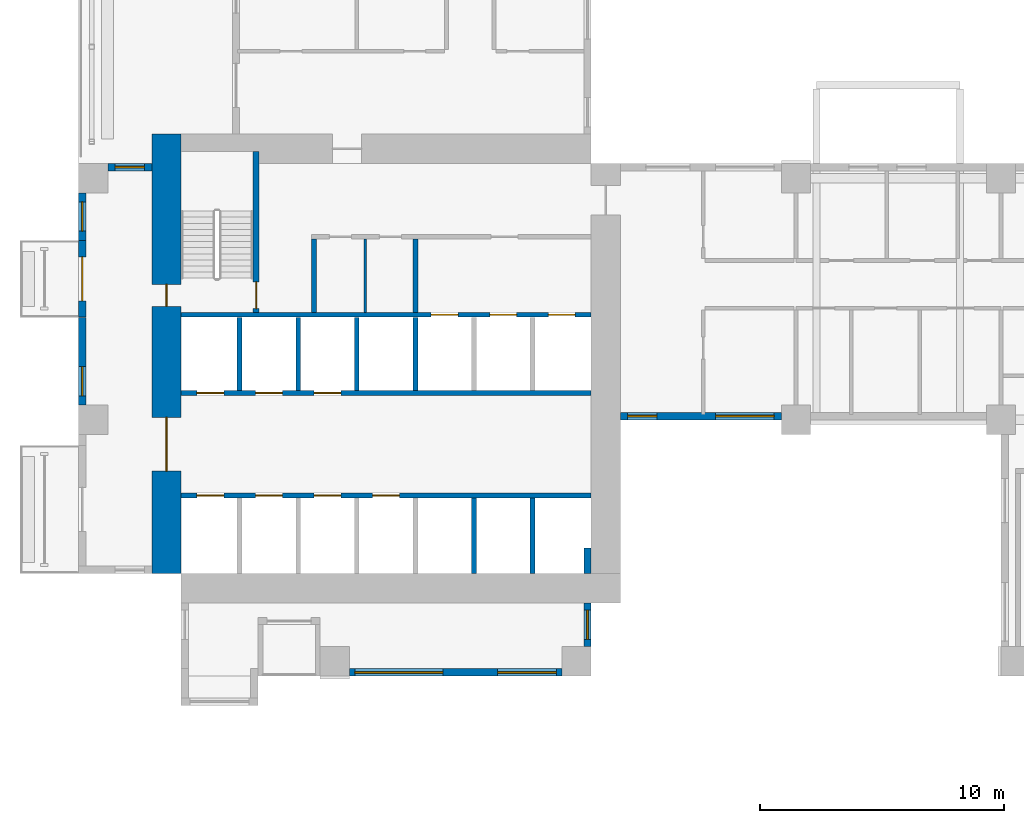
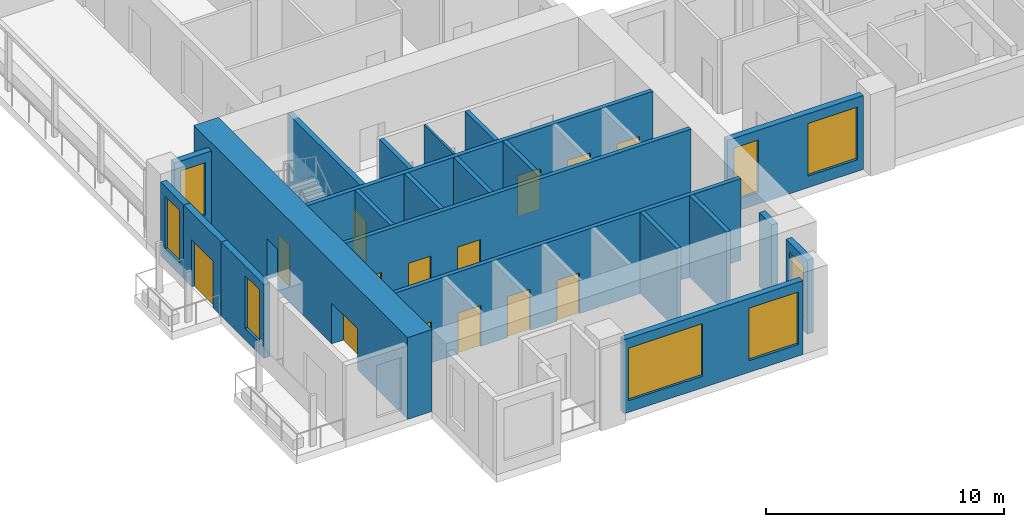
# One storey, part 6 of 18: 22 walls, 14 doors, 8 windows, 22 openings.
"""IFC4 building model written with IfcOpenShell, lengths in metres."""

from ifc_helpers import new_model, si_unit, direction, frame, frame_2d, origin, place, context, subcontext, project, spatial, rectangle, extrude, source, transform, mapped, material, layer, layer_set, type_object, element, fill, save


model = new_model("IFC4")

# Units and contexts
model_context = context("Model", 3, precision=1e-05, world=origin(), true_north=direction((0.0, 1.0)))
body_context = subcontext(model_context, "Body", "Model", "MODEL_VIEW")
ifc_project = project(units=[si_unit("LENGTHUNIT", "METRE"), si_unit("AREAUNIT", "SQUARE_METRE"), si_unit("VOLUMEUNIT", "CUBIC_METRE"), si_unit("PLANEANGLEUNIT", "RADIAN"), si_unit("MASSUNIT", "GRAM", prefix="KILO")], contexts=[model_context])

# Site, building, storey
site_placement = place(None, origin())
site = spatial("IfcSite", under=ifc_project, at=site_placement, CompositionType="ELEMENT")
building_placement = place(site_placement, origin())
building = spatial("IfcBuilding", under=site, at=building_placement, Name="Aurelian Terraces", CompositionType="ELEMENT")
storey_placement = place(building_placement, frame((0.0, 0.0, 99.3)))
storey = spatial("IfcBuildingStorey", under=building, at=storey_placement, Name="L21", CompositionType="ELEMENT", Elevation=99.3)

# Wall, openings, doors
ifc_material_1 = material(Name="Concrete fc' 83 MPa", Category="concrete")
ifc_layer_1 = layer(ifc_material_1, 1.2)
ifc_layer_set_1 = layer_set([ifc_layer_1], Name="CORE WALL 1200 FC83")
wall_type_1 = type_object("IfcWallType", Name="CORE WALL 1200 FC83", PredefinedType="SHEAR", material=ifc_layer_set_1)
shared_shape_1 = source(origin(), body_context, "Body", "SweptSolid", [
    extrude(rectangle(XDim=18.0, YDim=1.2, at=frame_2d((9.0, 0.0))), origin(), (0.0, 0.0, 1.0), 4.2),
])
wall_1_placement = place(storey_placement, frame((3.6, 4.2, 0.0), z_axis=(0.0, 0.0, 1.0), x_axis=(0.0, 1.0, 0.0)))
wall_1 = element("IfcWall", 1, at=wall_1_placement, inside=storey, type_object=wall_type_1, Name="Core wall W L21", PredefinedType="SHEAR", context=body_context, shape_type="MappedRepresentation", body=[
    mapped(shared_shape_1, transform((0.0, 0.0, 0.0), scale=1.0)),
])
shared_shape_2 = source(origin(), body_context, "Body", "SweptSolid", [
    extrude(rectangle(XDim=2.2, YDim=2.1, at=frame_2d((1.1, 1.05))), frame((0.0, 0.61, 0.0), z_axis=(0.0, -1.0, 0.0), x_axis=(1.0, 0.0, 0.0)), (0.0, 0.0, 1.0), 1.22),
])
opening_1_placement = place(wall_1_placement, frame((4.2, 0.0, 0.0)))
opening_1 = element("IfcOpeningElement", 2, at=opening_1_placement, cuts=wall_1, Name="Opening 62420", PredefinedType="OPENING", context=body_context, shape_type="MappedRepresentation", body=[
    mapped(shared_shape_2, transform((0.0, 0.0, 0.0), scale=1.0)),
])
opening_2_placement = place(wall_1_placement, frame((10.95, 0.0, 0.0)))
opening_2 = element("IfcOpeningElement", 3, at=opening_2_placement, cuts=wall_1, Name="Opening 62423", PredefinedType="OPENING", context=body_context, shape_type="SweptSolid", body=[
    extrude(rectangle(XDim=0.9, YDim=2.1, at=frame_2d((0.45, 1.05))), frame((0.0, 0.61, 0.0), z_axis=(0.0, -1.0, 0.0), x_axis=(1.0, 0.0, 0.0)), (0.0, 0.0, 1.0), 1.22),
])
ifc_material_2 = material(Name="Steel door leaf", Category="steel")
door_type_1 = type_object("IfcDoorType", Name="Core service door 900x2100 right", OperationType="SINGLE_SWING_RIGHT", PredefinedType="DOOR", material=ifc_material_2)
shared_shape_3 = source(origin(), body_context, "Body", "SweptSolid", [
    extrude(rectangle(XDim=0.9, YDim=2.1, at=frame_2d((0.45, 1.05))), frame((0.0, 0.025, 0.0), z_axis=(0.0, -1.0, 0.0), x_axis=(1.0, 0.0, 0.0)), (0.0, 0.0, 1.0), 0.05),
])
door_1_placement = place(opening_2_placement, origin())
door_1 = element("IfcDoor", 4, at=door_1_placement, inside=storey, type_object=door_type_1, Name="Core door 62423", OperationType="SINGLE_SWING_RIGHT", OverallHeight=2.1, OverallWidth=0.9, PredefinedType="DOOR", context=body_context, shape_type="MappedRepresentation", body=[
    mapped(shared_shape_3, transform((0.0, 0.0, 0.0), scale=1.0)),
])
fill(opening_2, door_1)
door_type_2 = type_object("IfcDoorType", Name="Core double door 2200x2100", OperationType="DOUBLE_DOOR_SINGLE_SWING", PredefinedType="DOOR", material=ifc_material_2)
shared_shape_4 = source(origin(), body_context, "Body", "SweptSolid", [
    extrude(rectangle(XDim=2.2, YDim=2.1, at=frame_2d((1.1, 1.05))), frame((0.0, 0.025, 0.0), z_axis=(0.0, -1.0, 0.0), x_axis=(1.0, 0.0, 0.0)), (0.0, 0.0, 1.0), 0.05),
])
door_2_placement = place(opening_1_placement, origin())
door_2 = element("IfcDoor", 5, at=door_2_placement, inside=storey, type_object=door_type_2, Name="Core door 62420", OperationType="DOUBLE_DOOR_SINGLE_SWING", OverallHeight=2.1, OverallWidth=2.2, PredefinedType="DOOR", context=body_context, shape_type="MappedRepresentation", body=[
    mapped(shared_shape_4, transform((0.0, 0.0, 0.0), scale=1.0)),
])
fill(opening_1, door_2)

# Wall, opening, door
ifc_material_3 = material(Name="Terracotta rainscreen cladding", Category="masonry")
ifc_layer_2 = layer(ifc_material_3, 0.3)
ifc_layer_set_2 = layer_set([ifc_layer_2], Name="EW-300")
wall_type_2 = type_object("IfcWallType", Name="EW-300", PredefinedType="STANDARD", material=ifc_layer_set_2)
shared_shape_5 = source(origin(), body_context, "Body", "SweptSolid", [
    extrude(rectangle(XDim=3.15, YDim=0.3, at=frame_2d((1.575, 0.0))), origin(), (0.0, 0.0, 1.0), 3.8),
])
wall_2_placement = place(storey_placement, frame((0.15, 17.85, 0.0), z_axis=(0.0, 0.0, 1.0), x_axis=(0.0, -1.0, 0.0)))
wall_2 = element("IfcWall", 6, at=wall_2_placement, inside=storey, type_object=wall_type_2, Name="External wall L21 F24.40", PredefinedType="STANDARD", context=body_context, shape_type="MappedRepresentation", body=[
    mapped(shared_shape_5, transform((0.0, 0.0, 0.0), scale=1.0)),
])
shared_shape_6 = source(origin(), body_context, "Body", "SweptSolid", [
    extrude(rectangle(XDim=1.8, YDim=2.4, at=frame_2d((0.9, 1.2))), frame((0.0, 0.16, 0.0), z_axis=(0.0, -1.0, 0.0), x_axis=(1.0, 0.0, 0.0)), (0.0, 0.0, 1.0), 0.32),
])
opening_3_placement = place(wall_2_placement, frame((0.675, 0.0, 0.0)))
opening_3 = element("IfcOpeningElement", 7, at=opening_3_placement, cuts=wall_2, Name="Opening 82109", PredefinedType="OPENING", context=body_context, shape_type="MappedRepresentation", body=[
    mapped(shared_shape_6, transform((0.0, 0.0, 0.0), scale=1.0)),
])
ifc_material_4 = material(Name="Clear glazing", Category="glass")
door_type_3 = type_object("IfcDoorType", Name="BD-1800x2400", OperationType="SLIDING_TO_LEFT", PredefinedType="DOOR", material=ifc_material_4)
shared_shape_7 = source(origin(), body_context, "Body", "SweptSolid", [
    extrude(rectangle(XDim=1.8, YDim=2.4, at=frame_2d((0.9, 1.2))), frame((0.0, 0.025, 0.0), z_axis=(0.0, -1.0, 0.0), x_axis=(1.0, 0.0, 0.0)), (0.0, 0.0, 1.0), 0.05),
])
door_3_placement = place(opening_3_placement, origin())
door_3 = element("IfcDoor", 8, at=door_3_placement, inside=storey, type_object=door_type_3, Name="Balcony door L21 F24.40", OperationType="SLIDING_TO_LEFT", OverallHeight=2.4, OverallWidth=1.8, PredefinedType="DOOR", context=body_context, shape_type="MappedRepresentation", body=[
    mapped(shared_shape_7, transform((0.0, 0.0, 0.0), scale=1.0)),
])
fill(opening_3, door_3)

# Wall, opening, window
shared_shape_8 = source(origin(), body_context, "Body", "SweptSolid", [
    extrude(rectangle(XDim=3.6, YDim=0.3, at=frame_2d((1.8, 0.0))), origin(), (0.0, 0.0, 1.0), 3.8),
])
wall_3_placement = place(storey_placement, frame((0.15, 14.7, 0.0), z_axis=(0.0, 0.0, 1.0), x_axis=(0.0, -1.0, 0.0)))
wall_3 = element("IfcWall", 9, at=wall_3_placement, inside=storey, type_object=wall_type_2, Name="External wall L21 F24.41", PredefinedType="STANDARD", context=body_context, shape_type="MappedRepresentation", body=[
    mapped(shared_shape_8, transform((0.0, 0.0, 0.0), scale=1.0)),
])
shared_shape_9 = source(origin(), body_context, "Body", "SweptSolid", [
    extrude(rectangle(XDim=1.2, YDim=2.7, at=frame_2d((0.6, 1.35))), frame((0.0, 0.16, 0.0), z_axis=(0.0, -1.0, 0.0), x_axis=(1.0, 0.0, 0.0)), (0.0, 0.0, 1.0), 0.32),
])
opening_4_placement = place(wall_3_placement, frame((2.025, 0.0, 0.6)))
opening_4 = element("IfcOpeningElement", 10, at=opening_4_placement, cuts=wall_3, Name="Opening W1227", PredefinedType="OPENING", context=body_context, shape_type="MappedRepresentation", body=[
    mapped(shared_shape_9, transform((0.0, 0.0, 0.0), scale=1.0)),
])
window_type_1 = type_object("IfcWindowType", Name="W-1200x2700", PartitioningType="SINGLE_PANEL", PredefinedType="WINDOW", material=ifc_material_4)
shared_shape_10 = source(origin(), body_context, "Body", "SweptSolid", [
    extrude(rectangle(XDim=1.2, YDim=2.7, at=frame_2d((0.6, 1.35))), frame((0.0, 0.03, 0.0), z_axis=(0.0, -1.0, 0.0), x_axis=(1.0, 0.0, 0.0)), (0.0, 0.0, 1.0), 0.06),
])
window_1_placement = place(opening_4_placement, origin())
window_1 = element("IfcWindow", 11, at=window_1_placement, inside=storey, type_object=window_type_1, Name="Window L21 L21-F24-41-0", OverallHeight=2.7, OverallWidth=1.2, PartitioningType="SINGLE_PANEL", PredefinedType="WINDOW", context=body_context, shape_type="MappedRepresentation", body=[
    mapped(shared_shape_10, transform((0.0, 0.0, 0.0), scale=1.0)),
])
fill(opening_4, window_1)

shared_shape_11 = source(origin(), body_context, "Body", "SweptSolid", [
    extrude(rectangle(XDim=1.8, YDim=0.3, at=frame_2d((0.9, 0.0))), origin(), (0.0, 0.0, 1.0), 3.8),
])
wall_4_placement = place(storey_placement, frame((20.85, 1.2, 0.0), z_axis=(0.0, 0.0, 1.0), x_axis=(0.0, 1.0, 0.0)))
wall_4 = element("IfcWall", 12, at=wall_4_placement, inside=storey, type_object=wall_type_2, Name="External wall L21 F02.4", PredefinedType="STANDARD", context=body_context, shape_type="MappedRepresentation", body=[
    mapped(shared_shape_11, transform((0.0, 0.0, 0.0), scale=1.0)),
])
opening_5_placement = place(wall_4_placement, frame((0.3, 0.0, 0.6)))
opening_5 = element("IfcOpeningElement", 13, at=opening_5_placement, cuts=wall_4, Name="Opening W1227", PredefinedType="OPENING", context=body_context, shape_type="MappedRepresentation", body=[
    mapped(shared_shape_9, transform((0.0, 0.0, 0.0), scale=1.0)),
])
window_2_placement = place(opening_5_placement, origin())
window_2 = element("IfcWindow", 14, at=window_2_placement, inside=storey, type_object=window_type_1, Name="Window L21 L21-F02-04-P0", OverallHeight=2.7, OverallWidth=1.2, PartitioningType="SINGLE_PANEL", PredefinedType="WINDOW", context=body_context, shape_type="MappedRepresentation", body=[
    mapped(shared_shape_10, transform((0.0, 0.0, 0.0), scale=1.0)),
])
fill(opening_5, window_2)

wall_5_placement = place(storey_placement, frame((3.0, 20.85, 0.0), z_axis=(0.0, 0.0, 1.0), x_axis=(-1.0, 0.0, 0.0)))
wall_5 = element("IfcWall", 15, at=wall_5_placement, inside=storey, type_object=wall_type_2, Name="External wall L21 F23.38", PredefinedType="STANDARD", context=body_context, shape_type="MappedRepresentation", body=[
    mapped(shared_shape_11, transform((0.0, 0.0, 0.0), scale=1.0)),
])
opening_6_placement = place(wall_5_placement, frame((0.3, 0.0, 0.6)))
opening_6 = element("IfcOpeningElement", 16, at=opening_6_placement, cuts=wall_5, Name="Opening W1227", PredefinedType="OPENING", context=body_context, shape_type="MappedRepresentation", body=[
    mapped(shared_shape_9, transform((0.0, 0.0, 0.0), scale=1.0)),
])
window_3_placement = place(opening_6_placement, origin())
window_3 = element("IfcWindow", 17, at=window_3_placement, inside=storey, type_object=window_type_1, Name="Window L21 L21-F23-38-0", OverallHeight=2.7, OverallWidth=1.2, PartitioningType="SINGLE_PANEL", PredefinedType="WINDOW", context=body_context, shape_type="MappedRepresentation", body=[
    mapped(shared_shape_10, transform((0.0, 0.0, 0.0), scale=1.0)),
])
fill(opening_6, window_3)

# Wall, openings, windows
shared_shape_12 = source(origin(), body_context, "Body", "SweptSolid", [
    extrude(rectangle(XDim=6.6, YDim=0.3, at=frame_2d((3.3, 0.0))), origin(), (0.0, 0.0, 1.0), 3.8),
])
wall_6_placement = place(storey_placement, frame((22.2, 10.65, 0.0), z_axis=(0.0, 0.0, 1.0), x_axis=(1.0, 0.0, 0.0)))
wall_6 = element("IfcWall", 18, at=wall_6_placement, inside=storey, type_object=wall_type_2, Name="External wall L21 F03.6", PredefinedType="STANDARD", context=body_context, shape_type="MappedRepresentation", body=[
    mapped(shared_shape_12, transform((0.0, 0.0, 0.0), scale=1.0)),
])
opening_7_placement = place(wall_6_placement, frame((0.3, 0.0, 0.6)))
opening_7 = element("IfcOpeningElement", 19, at=opening_7_placement, cuts=wall_6, Name="Opening W1227", PredefinedType="OPENING", context=body_context, shape_type="MappedRepresentation", body=[
    mapped(shared_shape_9, transform((0.0, 0.0, 0.0), scale=1.0)),
])
shared_shape_13 = source(origin(), body_context, "Body", "SweptSolid", [
    extrude(rectangle(XDim=2.4, YDim=2.7, at=frame_2d((1.2, 1.35))), frame((0.0, 0.16, 0.0), z_axis=(0.0, -1.0, 0.0), x_axis=(1.0, 0.0, 0.0)), (0.0, 0.0, 1.0), 0.32),
])
opening_8_placement = place(wall_6_placement, frame((3.9, 0.0, 0.6)))
opening_8 = element("IfcOpeningElement", 20, at=opening_8_placement, cuts=wall_6, Name="Opening W2427", PredefinedType="OPENING", context=body_context, shape_type="MappedRepresentation", body=[
    mapped(shared_shape_13, transform((0.0, 0.0, 0.0), scale=1.0)),
])
window_type_2 = type_object("IfcWindowType", Name="W-2400x2700", PartitioningType="SINGLE_PANEL", PredefinedType="WINDOW", material=ifc_material_4)
shared_shape_14 = source(origin(), body_context, "Body", "SweptSolid", [
    extrude(rectangle(XDim=2.4, YDim=2.7, at=frame_2d((1.2, 1.35))), frame((0.0, 0.03, 0.0), z_axis=(0.0, -1.0, 0.0), x_axis=(1.0, 0.0, 0.0)), (0.0, 0.0, 1.0), 0.06),
])
window_4_placement = place(opening_8_placement, origin())
window_4 = element("IfcWindow", 21, at=window_4_placement, inside=storey, type_object=window_type_2, Name="Window L21 L21-F03-06-1", OverallHeight=2.7, OverallWidth=2.4, PartitioningType="SINGLE_PANEL", PredefinedType="WINDOW", context=body_context, shape_type="MappedRepresentation", body=[
    mapped(shared_shape_14, transform((0.0, 0.0, 0.0), scale=1.0)),
])
fill(opening_8, window_4)
window_5_placement = place(opening_7_placement, origin())
window_5 = element("IfcWindow", 22, at=window_5_placement, inside=storey, type_object=window_type_1, Name="Window L21 L21-F03-06-0", OverallHeight=2.7, OverallWidth=1.2, PartitioningType="SINGLE_PANEL", PredefinedType="WINDOW", context=body_context, shape_type="MappedRepresentation", body=[
    mapped(shared_shape_10, transform((0.0, 0.0, 0.0), scale=1.0)),
])
fill(opening_7, window_5)

shared_shape_15 = source(origin(), body_context, "Body", "SweptSolid", [
    extrude(rectangle(XDim=8.7, YDim=0.3, at=frame_2d((4.35, 0.0))), origin(), (0.0, 0.0, 1.0), 3.8),
])
wall_7_placement = place(storey_placement, frame((11.1, 0.15, 0.0), z_axis=(0.0, 0.0, 1.0), x_axis=(1.0, 0.0, 0.0)))
wall_7 = element("IfcWall", 23, at=wall_7_placement, inside=storey, type_object=wall_type_2, Name="External wall L21 F01.3", PredefinedType="STANDARD", context=body_context, shape_type="MappedRepresentation", body=[
    mapped(shared_shape_15, transform((0.0, 0.0, 0.0), scale=1.0)),
])
shared_shape_16 = source(origin(), body_context, "Body", "SweptSolid", [
    extrude(rectangle(XDim=3.6, YDim=2.7, at=frame_2d((1.8, 1.35))), frame((0.0, 0.16, 0.0), z_axis=(0.0, -1.0, 0.0), x_axis=(1.0, 0.0, 0.0)), (0.0, 0.0, 1.0), 0.32),
])
opening_9_placement = place(wall_7_placement, frame((0.225, 0.0, 0.6)))
opening_9 = element("IfcOpeningElement", 24, at=opening_9_placement, cuts=wall_7, Name="Opening W3627", PredefinedType="OPENING", context=body_context, shape_type="MappedRepresentation", body=[
    mapped(shared_shape_16, transform((0.0, 0.0, 0.0), scale=1.0)),
])
opening_10_placement = place(wall_7_placement, frame((6.075, 0.0, 0.6)))
opening_10 = element("IfcOpeningElement", 25, at=opening_10_placement, cuts=wall_7, Name="Opening W2427", PredefinedType="OPENING", context=body_context, shape_type="MappedRepresentation", body=[
    mapped(shared_shape_13, transform((0.0, 0.0, 0.0), scale=1.0)),
])
window_type_3 = type_object("IfcWindowType", Name="W-3600x2700", PartitioningType="SINGLE_PANEL", PredefinedType="WINDOW", material=ifc_material_4)
shared_shape_17 = source(origin(), body_context, "Body", "SweptSolid", [
    extrude(rectangle(XDim=3.6, YDim=2.7, at=frame_2d((1.8, 1.35))), frame((0.0, 0.03, 0.0), z_axis=(0.0, -1.0, 0.0), x_axis=(1.0, 0.0, 0.0)), (0.0, 0.0, 1.0), 0.06),
])
window_6_placement = place(opening_9_placement, origin())
window_6 = element("IfcWindow", 26, at=window_6_placement, inside=storey, type_object=window_type_3, Name="Window L21 L21-F01-03-0", OverallHeight=2.7, OverallWidth=3.6, PartitioningType="SINGLE_PANEL", PredefinedType="WINDOW", context=body_context, shape_type="MappedRepresentation", body=[
    mapped(shared_shape_17, transform((0.0, 0.0, 0.0), scale=1.0)),
])
fill(opening_9, window_6)
window_7_placement = place(opening_10_placement, origin())
window_7 = element("IfcWindow", 27, at=window_7_placement, inside=storey, type_object=window_type_2, Name="Window L21 L21-F01-03-1", OverallHeight=2.7, OverallWidth=2.4, PartitioningType="SINGLE_PANEL", PredefinedType="WINDOW", context=body_context, shape_type="MappedRepresentation", body=[
    mapped(shared_shape_14, transform((0.0, 0.0, 0.0), scale=1.0)),
])
fill(opening_10, window_7)

# Wall
shared_shape_18 = source(origin(), body_context, "Body", "SweptSolid", [
    extrude(rectangle(XDim=1.05, YDim=0.3, at=frame_2d((0.525, 0.0))), origin(), (0.0, 0.0, 1.0), 3.8),
])
wall_8_placement = place(storey_placement, frame((20.85, 4.2, 0.0), z_axis=(0.0, 0.0, 1.0), x_axis=(0.0, 1.0, 0.0)))
element("IfcWall", 28, at=wall_8_placement, inside=storey, type_object=wall_type_2, Name="External wall L21 F02.4", PredefinedType="STANDARD", context=body_context, shape_type="MappedRepresentation", body=[
    mapped(shared_shape_18, transform((0.0, 0.0, 0.0), scale=1.0)),
])

# Wall, opening, window
shared_shape_19 = source(origin(), body_context, "Body", "SweptSolid", [
    extrude(rectangle(XDim=1.95, YDim=0.3, at=frame_2d((0.975, 0.0))), origin(), (0.0, 0.0, 1.0), 3.8),
])
wall_9_placement = place(storey_placement, frame((0.15, 19.8, 0.0), z_axis=(0.0, 0.0, 1.0), x_axis=(0.0, -1.0, 0.0)))
wall_9 = element("IfcWall", 29, at=wall_9_placement, inside=storey, type_object=wall_type_2, Name="External wall L21 F24.39", PredefinedType="STANDARD", context=body_context, shape_type="MappedRepresentation", body=[
    mapped(shared_shape_19, transform((0.0, 0.0, 0.0), scale=1.0)),
])
opening_11_placement = place(wall_9_placement, frame((0.375, 0.0, 0.6)))
opening_11 = element("IfcOpeningElement", 30, at=opening_11_placement, cuts=wall_9, Name="Opening W1227", PredefinedType="OPENING", context=body_context, shape_type="MappedRepresentation", body=[
    mapped(shared_shape_9, transform((0.0, 0.0, 0.0), scale=1.0)),
])
window_8_placement = place(opening_11_placement, origin())
window_8 = element("IfcWindow", 31, at=window_8_placement, inside=storey, type_object=window_type_1, Name="Window L21 L21-F24-39-P0", OverallHeight=2.7, OverallWidth=1.2, PartitioningType="SINGLE_PANEL", PredefinedType="WINDOW", context=body_context, shape_type="MappedRepresentation", body=[
    mapped(shared_shape_10, transform((0.0, 0.0, 0.0), scale=1.0)),
])
fill(opening_11, window_8)

# Walls
ifc_material_5 = material(Name="Concrete fc' 40 MPa", Category="concrete")
ifc_layer_3 = layer(ifc_material_5, 0.2)
ifc_layer_set_3 = layer_set([ifc_layer_3], Name="Lift shaft wall 200")
wall_type_3 = type_object("IfcWallType", Name="Lift shaft wall 200", PredefinedType="SOLIDWALL", material=ifc_layer_set_3)
shared_shape_20 = source(origin(), body_context, "Body", "SweptSolid", [
    extrude(rectangle(XDim=3.1, YDim=0.2, at=frame_2d((1.55, 0.0))), origin(), (0.0, 0.0, 1.0), 4.2),
])
for number, where, z_axis, x_axis, name in (
    (32, (16.2, 4.2, 0.0), (0.0, 0.0, 1.0), (0.0, 1.0, 0.0), "L21 core wall CD-A5"),
    (33, (18.6, 4.2, 0.0), (0.0, 0.0, 1.0), (0.0, 1.0, 0.0), "L21 core wall CD-A6"),
):
    element("IfcWall", number, at=place(storey_placement, frame(where, z_axis=z_axis, x_axis=x_axis)), inside=storey, type_object=wall_type_3, Name=name, PredefinedType="SOLIDWALL", context=body_context, shape_type="MappedRepresentation", body=[
        mapped(shared_shape_20, transform((0.0, 0.0, 0.0), scale=1.0)),
    ])
shared_shape_21 = source(origin(), body_context, "Body", "SweptSolid", [
    extrude(rectangle(XDim=3.0, YDim=0.2, at=frame_2d((1.5, 0.0))), origin(), (0.0, 0.0, 1.0), 4.2),
])
for number, where, z_axis, x_axis, name in (
    (34, (6.6, 11.7, 0.0), (0.0, 0.0, 1.0), (0.0, 1.0, 0.0), "L21 core wall CD-B1"),
    (35, (9.0, 11.7, 0.0), (0.0, 0.0, 1.0), (0.0, 1.0, 0.0), "L21 core wall CD-B2"),
    (36, (11.4, 11.7, 0.0), (0.0, 0.0, 1.0), (0.0, 1.0, 0.0), "L21 core wall CD-B3"),
    (37, (13.8, 11.7, 0.0), (0.0, 0.0, 1.0), (0.0, 1.0, 0.0), "L21 core wall CD-B4"),
):
    element("IfcWall", number, at=place(storey_placement, frame(where, z_axis=z_axis, x_axis=x_axis)), inside=storey, type_object=wall_type_3, Name=name, PredefinedType="SOLIDWALL", context=body_context, shape_type="MappedRepresentation", body=[
        mapped(shared_shape_21, transform((0.0, 0.0, 0.0), scale=1.0)),
    ])

# Wall, openings, doors
shared_shape_22 = source(origin(), body_context, "Body", "SweptSolid", [
    extrude(rectangle(XDim=16.8, YDim=0.2, at=frame_2d((8.4, 0.0))), origin(), (0.0, 0.0, 1.0), 4.2),
])
wall_10_placement = place(storey_placement, frame((4.2, 7.4, 0.0), z_axis=(0.0, 0.0, 1.0), x_axis=(1.0, 0.0, 0.0)))
wall_10 = element("IfcWall", 38, at=wall_10_placement, inside=storey, type_object=wall_type_3, Name="L21 core wall CF-AF1", PredefinedType="SOLIDWALL", context=body_context, shape_type="MappedRepresentation", body=[
    mapped(shared_shape_22, transform((0.0, 0.0, 0.0), scale=1.0)),
])
shared_shape_23 = source(origin(), body_context, "Body", "SweptSolid", [
    extrude(rectangle(XDim=1.1, YDim=2.1, at=frame_2d((0.55, 1.05))), frame((0.0, 0.11, 0.0), z_axis=(0.0, -1.0, 0.0), x_axis=(1.0, 0.0, 0.0)), (0.0, 0.0, 1.0), 0.22),
])
opening_12_placement = place(wall_10_placement, frame((0.65, 0.0, 0.0)))
opening_12 = element("IfcOpeningElement", 39, at=opening_12_placement, cuts=wall_10, Name="Opening 62400", PredefinedType="OPENING", context=body_context, shape_type="MappedRepresentation", body=[
    mapped(shared_shape_23, transform((0.0, 0.0, 0.0), scale=1.0)),
])
opening_13_placement = place(wall_10_placement, frame((3.05, 0.0, 0.0)))
opening_13 = element("IfcOpeningElement", 40, at=opening_13_placement, cuts=wall_10, Name="Opening 62401", PredefinedType="OPENING", context=body_context, shape_type="MappedRepresentation", body=[
    mapped(shared_shape_23, transform((0.0, 0.0, 0.0), scale=1.0)),
])
opening_14_placement = place(wall_10_placement, frame((5.45, 0.0, 0.0)))
opening_14 = element("IfcOpeningElement", 41, at=opening_14_placement, cuts=wall_10, Name="Opening 62402", PredefinedType="OPENING", context=body_context, shape_type="MappedRepresentation", body=[
    mapped(shared_shape_23, transform((0.0, 0.0, 0.0), scale=1.0)),
])
opening_15_placement = place(wall_10_placement, frame((7.85, 0.0, 0.0)))
opening_15 = element("IfcOpeningElement", 42, at=opening_15_placement, cuts=wall_10, Name="Opening 62403", PredefinedType="OPENING", context=body_context, shape_type="MappedRepresentation", body=[
    mapped(shared_shape_23, transform((0.0, 0.0, 0.0), scale=1.0)),
])
ifc_material_6 = material(Name="Stainless steel", Category="steel")
door_type_4 = type_object("IfcDoorType", Name="Lift landing door 1100x2100", OperationType="SLIDING_TO_LEFT", PredefinedType="DOOR", material=ifc_material_6)
shared_shape_24 = source(origin(), body_context, "Body", "SweptSolid", [
    extrude(rectangle(XDim=1.1, YDim=2.1, at=frame_2d((0.55, 1.05))), frame((0.0, 0.025, 0.0), z_axis=(0.0, -1.0, 0.0), x_axis=(1.0, 0.0, 0.0)), (0.0, 0.0, 1.0), 0.05),
])
door_4_placement = place(opening_12_placement, origin())
door_4 = element("IfcDoor", 43, at=door_4_placement, inside=storey, type_object=door_type_4, Name="Lift landing door LL1 L21", OperationType="SLIDING_TO_LEFT", OverallHeight=2.1, OverallWidth=1.1, PredefinedType="DOOR", context=body_context, shape_type="MappedRepresentation", body=[
    mapped(shared_shape_24, transform((0.0, 0.0, 0.0), scale=1.0)),
])
fill(opening_12, door_4)
door_5_placement = place(opening_13_placement, origin())
door_5 = element("IfcDoor", 44, at=door_5_placement, inside=storey, type_object=door_type_4, Name="Lift landing door LL2 L21", OperationType="SLIDING_TO_LEFT", OverallHeight=2.1, OverallWidth=1.1, PredefinedType="DOOR", context=body_context, shape_type="MappedRepresentation", body=[
    mapped(shared_shape_24, transform((0.0, 0.0, 0.0), scale=1.0)),
])
fill(opening_13, door_5)
door_6_placement = place(opening_14_placement, origin())
door_6 = element("IfcDoor", 45, at=door_6_placement, inside=storey, type_object=door_type_4, Name="Lift landing door LL3 L21", OperationType="SLIDING_TO_LEFT", OverallHeight=2.1, OverallWidth=1.1, PredefinedType="DOOR", context=body_context, shape_type="MappedRepresentation", body=[
    mapped(shared_shape_24, transform((0.0, 0.0, 0.0), scale=1.0)),
])
fill(opening_14, door_6)
door_7_placement = place(opening_15_placement, origin())
door_7 = element("IfcDoor", 46, at=door_7_placement, inside=storey, type_object=door_type_4, Name="Lift landing door LL4 L21", OperationType="SLIDING_TO_LEFT", OverallHeight=2.1, OverallWidth=1.1, PredefinedType="DOOR", context=body_context, shape_type="MappedRepresentation", body=[
    mapped(shared_shape_24, transform((0.0, 0.0, 0.0), scale=1.0)),
])
fill(opening_15, door_7)

wall_11_placement = place(storey_placement, frame((4.2, 11.6, 0.0), z_axis=(0.0, 0.0, 1.0), x_axis=(1.0, 0.0, 0.0)))
wall_11 = element("IfcWall", 47, at=wall_11_placement, inside=storey, type_object=wall_type_3, Name="L21 core wall CF-BF1", PredefinedType="SOLIDWALL", context=body_context, shape_type="MappedRepresentation", body=[
    mapped(shared_shape_22, transform((0.0, 0.0, 0.0), scale=1.0)),
])
opening_16_placement = place(wall_11_placement, frame((0.65, 0.0, 0.0)))
opening_16 = element("IfcOpeningElement", 48, at=opening_16_placement, cuts=wall_11, Name="Opening 62404", PredefinedType="OPENING", context=body_context, shape_type="MappedRepresentation", body=[
    mapped(shared_shape_23, transform((0.0, 0.0, 0.0), scale=1.0)),
])
opening_17_placement = place(wall_11_placement, frame((3.05, 0.0, 0.0)))
opening_17 = element("IfcOpeningElement", 49, at=opening_17_placement, cuts=wall_11, Name="Opening 62405", PredefinedType="OPENING", context=body_context, shape_type="MappedRepresentation", body=[
    mapped(shared_shape_23, transform((0.0, 0.0, 0.0), scale=1.0)),
])
opening_18_placement = place(wall_11_placement, frame((5.45, 0.0, 0.0)))
opening_18 = element("IfcOpeningElement", 50, at=opening_18_placement, cuts=wall_11, Name="Opening 62406", PredefinedType="OPENING", context=body_context, shape_type="MappedRepresentation", body=[
    mapped(shared_shape_23, transform((0.0, 0.0, 0.0), scale=1.0)),
])
door_8_placement = place(opening_16_placement, origin())
door_8 = element("IfcDoor", 51, at=door_8_placement, inside=storey, type_object=door_type_4, Name="Lift landing door LL5 L21", OperationType="SLIDING_TO_LEFT", OverallHeight=2.1, OverallWidth=1.1, PredefinedType="DOOR", context=body_context, shape_type="MappedRepresentation", body=[
    mapped(shared_shape_24, transform((0.0, 0.0, 0.0), scale=1.0)),
])
fill(opening_16, door_8)
door_9_placement = place(opening_17_placement, origin())
door_9 = element("IfcDoor", 52, at=door_9_placement, inside=storey, type_object=door_type_4, Name="Lift landing door LL6 L21", OperationType="SLIDING_TO_LEFT", OverallHeight=2.1, OverallWidth=1.1, PredefinedType="DOOR", context=body_context, shape_type="MappedRepresentation", body=[
    mapped(shared_shape_24, transform((0.0, 0.0, 0.0), scale=1.0)),
])
fill(opening_17, door_9)
door_10_placement = place(opening_18_placement, origin())
door_10 = element("IfcDoor", 53, at=door_10_placement, inside=storey, type_object=door_type_4, Name="Lift landing door LL7 L21", OperationType="SLIDING_TO_LEFT", OverallHeight=2.1, OverallWidth=1.1, PredefinedType="DOOR", context=body_context, shape_type="MappedRepresentation", body=[
    mapped(shared_shape_24, transform((0.0, 0.0, 0.0), scale=1.0)),
])
fill(opening_18, door_10)

wall_12_placement = place(storey_placement, frame((4.2, 14.8, 0.0), z_axis=(0.0, 0.0, 1.0), x_axis=(1.0, 0.0, 0.0)))
wall_12 = element("IfcWall", 54, at=wall_12_placement, inside=storey, type_object=wall_type_3, Name="L21 core wall CF-BB1", PredefinedType="SOLIDWALL", context=body_context, shape_type="MappedRepresentation", body=[
    mapped(shared_shape_22, transform((0.0, 0.0, 0.0), scale=1.0)),
])
opening_19_placement = place(wall_12_placement, frame((10.25, 0.0, 0.0)))
opening_19 = element("IfcOpeningElement", 55, at=opening_19_placement, cuts=wall_12, Name="Opening 62407", PredefinedType="OPENING", context=body_context, shape_type="MappedRepresentation", body=[
    mapped(shared_shape_23, transform((0.0, 0.0, 0.0), scale=1.0)),
])
opening_20_placement = place(wall_12_placement, frame((12.65, 0.0, 0.0)))
opening_20 = element("IfcOpeningElement", 56, at=opening_20_placement, cuts=wall_12, Name="Opening 62408", PredefinedType="OPENING", context=body_context, shape_type="MappedRepresentation", body=[
    mapped(shared_shape_23, transform((0.0, 0.0, 0.0), scale=1.0)),
])
opening_21_placement = place(wall_12_placement, frame((15.05, 0.0, 0.0)))
opening_21 = element("IfcOpeningElement", 57, at=opening_21_placement, cuts=wall_12, Name="Opening 62409", PredefinedType="OPENING", context=body_context, shape_type="MappedRepresentation", body=[
    mapped(shared_shape_23, transform((0.0, 0.0, 0.0), scale=1.0)),
])
door_11_placement = place(opening_19_placement, origin())
door_11 = element("IfcDoor", 58, at=door_11_placement, inside=storey, type_object=door_type_4, Name="Lift landing door F1 L21", OperationType="SLIDING_TO_LEFT", OverallHeight=2.1, OverallWidth=1.1, PredefinedType="DOOR", context=body_context, shape_type="MappedRepresentation", body=[
    mapped(shared_shape_24, transform((0.0, 0.0, 0.0), scale=1.0)),
])
fill(opening_19, door_11)
door_12_placement = place(opening_20_placement, origin())
door_12 = element("IfcDoor", 59, at=door_12_placement, inside=storey, type_object=door_type_4, Name="Lift landing door F2 L21", OperationType="SLIDING_TO_LEFT", OverallHeight=2.1, OverallWidth=1.1, PredefinedType="DOOR", context=body_context, shape_type="MappedRepresentation", body=[
    mapped(shared_shape_24, transform((0.0, 0.0, 0.0), scale=1.0)),
])
fill(opening_20, door_12)
door_13_placement = place(opening_21_placement, origin())
door_13 = element("IfcDoor", 60, at=door_13_placement, inside=storey, type_object=door_type_4, Name="Lift landing door F3 L21", OperationType="SLIDING_TO_LEFT", OverallHeight=2.1, OverallWidth=1.1, PredefinedType="DOOR", context=body_context, shape_type="MappedRepresentation", body=[
    mapped(shared_shape_24, transform((0.0, 0.0, 0.0), scale=1.0)),
])
fill(opening_21, door_13)

# Walls
ifc_material_7 = material(Name="Gypsum board on steel studs", Category="steel")
ifc_layer_4 = layer(ifc_material_7, 0.2)
ifc_layer_set_4 = layer_set([ifc_layer_4], Name="Core partition 200")
wall_type_4 = type_object("IfcWallType", Name="Core partition 200", PredefinedType="PARTITIONING", material=ifc_layer_set_4)
shared_shape_25 = source(origin(), body_context, "Body", "SweptSolid", [
    extrude(rectangle(XDim=3.0, YDim=0.2, at=frame_2d((1.5, 0.0))), origin(), (0.0, 0.0, 1.0), 3.8),
])
for number, where, z_axis, x_axis, name in (
    (61, (9.65, 14.9, 0.0), (0.0, 0.0, 1.0), (0.0, 1.0, 0.0), "L21 core wall CP-VEST"),
    (62, (13.8, 14.9, 0.0), (0.0, 0.0, 1.0), (0.0, 1.0, 0.0), "L21 core wall CP-FFL"),
):
    element("IfcWall", number, at=place(storey_placement, frame(where, z_axis=z_axis, x_axis=x_axis)), inside=storey, type_object=wall_type_4, Name=name, PredefinedType="PARTITIONING", context=body_context, shape_type="MappedRepresentation", body=[
        mapped(shared_shape_25, transform((0.0, 0.0, 0.0), scale=1.0)),
    ])
ifc_layer_5 = layer(ifc_material_7, 0.1)
ifc_layer_set_5 = layer_set([ifc_layer_5], Name="Core partition 100")
wall_type_5 = type_object("IfcWallType", Name="Core partition 100", PredefinedType="PARTITIONING", material=ifc_layer_set_5)
shared_shape_26 = source(origin(), body_context, "Body", "SweptSolid", [
    extrude(rectangle(XDim=3.0, YDim=0.1, at=frame_2d((1.5, 0.0))), origin(), (0.0, 0.0, 1.0), 3.8),
])
wall_13_placement = place(storey_placement, frame((11.75, 14.9, 0.0), z_axis=(0.0, 0.0, 1.0), x_axis=(0.0, 1.0, 0.0)))
element("IfcWall", 63, at=wall_13_placement, inside=storey, type_object=wall_type_5, Name="L21 core wall CP-SV1", PredefinedType="PARTITIONING", context=body_context, shape_type="MappedRepresentation", body=[
    mapped(shared_shape_26, transform((0.0, 0.0, 0.0), scale=1.0)),
])

# Wall, opening, door
ifc_layer_6 = layer(ifc_material_5, 0.25)
ifc_layer_set_6 = layer_set([ifc_layer_6], Name="Stair enclosure wall 250")
wall_type_6 = type_object("IfcWallType", Name="Stair enclosure wall 250", PredefinedType="SOLIDWALL", material=ifc_layer_set_6)
shared_shape_27 = source(origin(), body_context, "Body", "SweptSolid", [
    extrude(rectangle(XDim=6.6, YDim=0.25, at=frame_2d((3.3, 0.0))), origin(), (0.0, 0.0, 1.0), 3.8),
])
wall_14_placement = place(storey_placement, frame((7.275, 14.9, 0.0), z_axis=(0.0, 0.0, 1.0), x_axis=(0.0, 1.0, 0.0)))
wall_14 = element("IfcWall", 64, at=wall_14_placement, inside=storey, type_object=wall_type_6, Name="L21 core wall ST-S1-E", PredefinedType="SOLIDWALL", context=body_context, shape_type="MappedRepresentation", body=[
    mapped(shared_shape_27, transform((0.0, 0.0, 0.0), scale=1.0)),
])
shared_shape_28 = source(origin(), body_context, "Body", "SweptSolid", [
    extrude(rectangle(XDim=1.1, YDim=2.1, at=frame_2d((0.55, 1.05))), frame((0.0, 0.135, 0.0), z_axis=(0.0, -1.0, 0.0), x_axis=(1.0, 0.0, 0.0)), (0.0, 0.0, 1.0), 0.27),
])
opening_22_placement = place(wall_14_placement, frame((0.15, 0.0, 0.0)))
opening_22 = element("IfcOpeningElement", 65, at=opening_22_placement, cuts=wall_14, Name="Opening 62410", PredefinedType="OPENING", context=body_context, shape_type="MappedRepresentation", body=[
    mapped(shared_shape_28, transform((0.0, 0.0, 0.0), scale=1.0)),
])
door_type_5 = type_object("IfcDoorType", Name="Core fire door 1100x2100", OperationType="SINGLE_SWING_LEFT", PredefinedType="DOOR", material=ifc_material_2)
door_14_placement = place(opening_22_placement, origin())
door_14 = element("IfcDoor", 66, at=door_14_placement, inside=storey, type_object=door_type_5, Name="Stair door 62410", OperationType="SINGLE_SWING_LEFT", OverallHeight=2.1, OverallWidth=1.1, PredefinedType="DOOR", context=body_context, shape_type="MappedRepresentation", body=[
    mapped(shared_shape_24, transform((0.0, 0.0, 0.0), scale=1.0)),
])
fill(opening_22, door_14)

save(model, "model.ifc")
